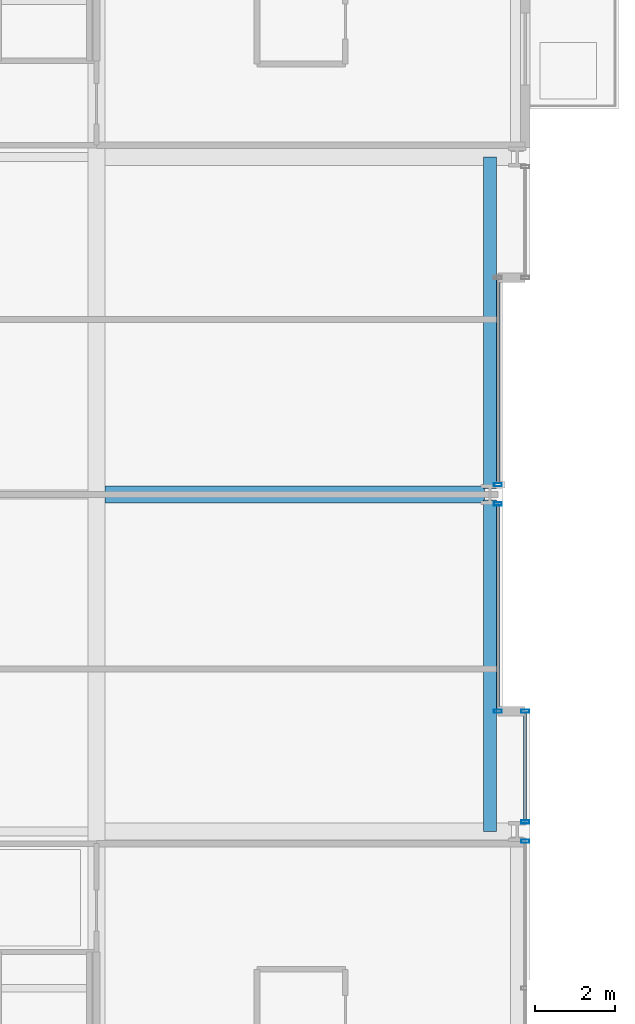
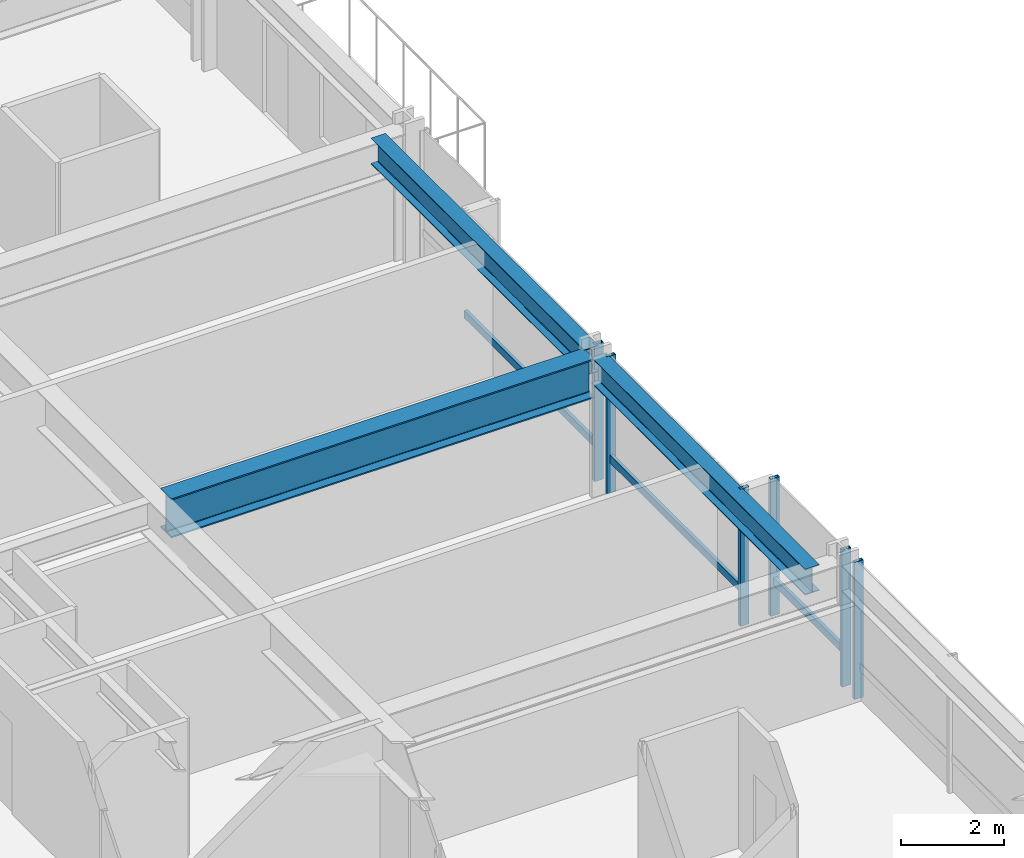
# One storey, part 16 of 38: 9 members, 3 beams, 4 elements without a shape of their own.
"""IFC4 building model written with IfcOpenShell, lengths in metres."""

from ifc_helpers import new_model, si_unit, direction, frame, origin, origin_2d, place, context, subcontext, project, spatial, hollow_rectangle, i_section, extrude, material, layer, layer_set, material_profile, profile_set, type_object, element, aggregate, save


model = new_model("IFC4")

# Units and contexts
model_context = context("Model", 3, precision=1e-05, world=origin(), true_north=direction((0.0, 1.0)))
body_context = subcontext(model_context, "Body", "Model", "MODEL_VIEW")
ifc_project = project(units=[si_unit("LENGTHUNIT", "METRE"), si_unit("AREAUNIT", "SQUARE_METRE"), si_unit("VOLUMEUNIT", "CUBIC_METRE"), si_unit("PLANEANGLEUNIT", "RADIAN"), si_unit("MASSUNIT", "GRAM", prefix="KILO")], contexts=[model_context])

# Site, building, storey
site_placement = place(None, origin())
site = spatial("IfcSite", under=ifc_project, at=site_placement, CompositionType="ELEMENT")
building_placement = place(site_placement, origin())
building = spatial("IfcBuilding", under=site, at=building_placement, Name="Drelvath Grand Hotel", CompositionType="ELEMENT")
storey_placement = place(building_placement, frame((0.0, 0.0, 50.699951171875)))
storey = spatial("IfcBuildingStorey", under=building, at=storey_placement, Name="L11", CompositionType="ELEMENT", Elevation=50.699951171875)

# Curtain wall, member
ifc_material_1 = material(Name="Warm Bronze Anodised Aluminium Frame", Category="aluminium")
ifc_layer = layer(ifc_material_1, 0.199951171875)
ifc_layer_set = layer_set([ifc_layer], Name="Warm Bronze Anodised Aluminium Frame")
curtain_wall_type = type_object("IfcCurtainWallType", Name="Stick Curtain Wall CW-02 Warm Bronze Low-Rise", PredefinedType="NOTDEFINED", material=ifc_layer_set)
curtain_wall_1_placement = place(storey_placement, origin())
curtain_wall_1 = element("IfcCurtainWall", 1, at=curtain_wall_1_placement, inside=storey, type_object=curtain_wall_type, Name="L11 CW-02 Curtain Wall CW02-L11-EM1", PredefinedType="NOTDEFINED")
ifc_material_profile_1 = material_profile(ifc_material_1, hollow_rectangle(XDim=0.074951171875, YDim=0.179931640625, WallThickness=0.0048828125, at=origin_2d()), Name="HSS180X75X5")
ifc_profile_set_1 = profile_set([ifc_material_profile_1], Name="Warm Bronze Anodised Aluminium Frame")
member_type_1 = type_object("IfcMemberType", Name="Curtain Wall Horizontal Transom CW-02 HSS180X75X5", PredefinedType="USERDEFINED", material=ifc_profile_set_1)
member_1_placement = place(storey_placement, frame((26.199951171875, 26.718994140625, 0.81005859375), z_axis=(0.0, -1.0, 0.0), x_axis=(1.0, 0.0, 0.0)))
member_1 = element("IfcMember", 2, at=member_1_placement, type_object=member_type_1, Name="CW02-L11-EM1 Sill Transom", ObjectType="TRANSOM", PredefinedType="USERDEFINED", context=body_context, shape_type="SweptSolid", body=[
    extrude(hollow_rectangle(XDim=0.074951171875, YDim=0.179931640625, WallThickness=0.0048828125, at=origin_2d()), origin(), (0.0, 0.0, 1.0), 5.0791015625),
])

curtain_wall_2_placement = place(storey_placement, origin())
curtain_wall_2 = element("IfcCurtainWall", 3, at=curtain_wall_2_placement, inside=storey, type_object=curtain_wall_type, Name="L11 CW-02 Curtain Wall CW02-L11-EM2", PredefinedType="NOTDEFINED")
member_2_placement = place(storey_placement, frame((26.199951171875, 32.360107421875, 0.81005859375), z_axis=(0.0, -1.0, 0.0), x_axis=(1.0, 0.0, 0.0)))
member_2 = element("IfcMember", 4, at=member_2_placement, type_object=member_type_1, Name="CW02-L11-EM2 Sill Transom", ObjectType="TRANSOM", PredefinedType="USERDEFINED", context=body_context, shape_type="SweptSolid", body=[
    extrude(hollow_rectangle(XDim=0.074951171875, YDim=0.179931640625, WallThickness=0.0048828125, at=origin_2d()), origin(), (0.0, 0.0, 1.0), 5.0791015625),
])

curtain_wall_3_placement = place(storey_placement, origin())
curtain_wall_3 = element("IfcCurtainWall", 5, at=curtain_wall_3_placement, inside=storey, type_object=curtain_wall_type, Name="L11 CW-02 Curtain Wall CW02-L11-ES3", PredefinedType="NOTDEFINED")
member_3_placement = place(storey_placement, frame((26.8798828125, 21.56005859375, 0.81005859375), z_axis=(0.0, -1.0, 0.0), x_axis=(1.0, 0.0, 0.0)))
member_3 = element("IfcMember", 6, at=member_3_placement, type_object=member_type_1, Name="CW02-L11-ES3 Sill Transom", ObjectType="TRANSOM", PredefinedType="USERDEFINED", context=body_context, shape_type="SweptSolid", body=[
    extrude(hollow_rectangle(XDim=0.074951171875, YDim=0.179931640625, WallThickness=0.0048828125, at=origin_2d()), origin(), (0.0, 0.0, 1.0), 2.67919921875),
])

# Member
ifc_material_profile_2 = material_profile(ifc_material_1, hollow_rectangle(XDim=0.080078125, YDim=0.199951171875, WallThickness=0.0048828125, at=origin_2d()), Name="HSS200X80X5")
ifc_profile_set_2 = profile_set([ifc_material_profile_2], Name="Warm Bronze Anodised Aluminium Frame")
member_type_2 = type_object("IfcMemberType", Name="Curtain Wall Vertical Mullion CW-02 HSS200X80X5", PredefinedType="MULLION", material=ifc_profile_set_2)
member_4_placement = place(storey_placement, frame((26.199951171875, 26.759033203125, 0.0), z_axis=(0.0, 0.0, 1.0), x_axis=(0.0, 1.0, 0.0)))
member_4 = element("IfcMember", 7, at=member_4_placement, type_object=member_type_2, Name="CW02-L11-EM1 Mullion 1", PredefinedType="MULLION", context=body_context, shape_type="SweptSolid", body=[
    extrude(hollow_rectangle(XDim=0.080078125, YDim=0.199951171875, WallThickness=0.0048828125, at=origin_2d()), origin(), (0.0, 0.0, 1.0), 3.239990234375),
])

member_5_placement = place(storey_placement, frame((26.199951171875, 21.60009765625, 0.0), z_axis=(0.0, 0.0, 1.0), x_axis=(0.0, 1.0, 0.0)))
member_5 = element("IfcMember", 8, at=member_5_placement, type_object=member_type_2, Name="CW02-L11-EM1 Mullion 2", PredefinedType="MULLION", context=body_context, shape_type="SweptSolid", body=[
    extrude(hollow_rectangle(XDim=0.080078125, YDim=0.199951171875, WallThickness=0.0048828125, at=origin_2d()), origin(), (0.0, 0.0, 1.0), 3.239990234375),
])

aggregate(curtain_wall_1, [member_4, member_5, member_1])

member_6_placement = place(storey_placement, frame((26.199951171875, 27.240966796875, 0.0), z_axis=(0.0, 0.0, 1.0), x_axis=(0.0, 1.0, 0.0)))
member_6 = element("IfcMember", 9, at=member_6_placement, type_object=member_type_2, Name="CW02-L11-EM2 Mullion 2", PredefinedType="MULLION", context=body_context, shape_type="SweptSolid", body=[
    extrude(hollow_rectangle(XDim=0.080078125, YDim=0.199951171875, WallThickness=0.0048828125, at=origin_2d()), origin(), (0.0, 0.0, 1.0), 3.239990234375),
])

aggregate(curtain_wall_2, [member_6, member_2])

# Curtain wall, member
curtain_wall_4_placement = place(storey_placement, origin())
curtain_wall_4 = element("IfcCurtainWall", 10, at=curtain_wall_4_placement, inside=storey, type_object=curtain_wall_type, Name="L11 CW-02 Curtain Wall CW02-L11-ES2", PredefinedType="NOTDEFINED")
member_7_placement = place(storey_placement, frame((26.8798828125, 18.359130859375, 0.0), z_axis=(0.0, 0.0, 1.0), x_axis=(0.0, 1.0, 0.0)))
member_7 = element("IfcMember", 11, at=member_7_placement, type_object=member_type_2, Name="CW02-L11-ES2 Mullion 1", PredefinedType="MULLION", context=body_context, shape_type="SweptSolid", body=[
    extrude(hollow_rectangle(XDim=0.080078125, YDim=0.199951171875, WallThickness=0.0048828125, at=origin_2d()), origin(), (0.0, 0.0, 1.0), 3.239990234375),
])
aggregate(curtain_wall_4, [member_7])

# Member
member_8_placement = place(storey_placement, frame((26.8798828125, 21.60009765625, 0.0), z_axis=(0.0, 0.0, 1.0), x_axis=(0.0, 1.0, 0.0)))
member_8 = element("IfcMember", 12, at=member_8_placement, type_object=member_type_2, Name="CW02-L11-ES3 Mullion 1", PredefinedType="MULLION", context=body_context, shape_type="SweptSolid", body=[
    extrude(hollow_rectangle(XDim=0.080078125, YDim=0.199951171875, WallThickness=0.0048828125, at=origin_2d()), origin(), (0.0, 0.0, 1.0), 3.239990234375),
])

member_9_placement = place(storey_placement, frame((26.8798828125, 18.8408203125, 0.0), z_axis=(0.0, 0.0, 1.0), x_axis=(0.0, 1.0, 0.0)))
member_9 = element("IfcMember", 13, at=member_9_placement, type_object=member_type_2, Name="CW02-L11-ES3 Mullion 2", PredefinedType="MULLION", context=body_context, shape_type="SweptSolid", body=[
    extrude(hollow_rectangle(XDim=0.080078125, YDim=0.199951171875, WallThickness=0.0048828125, at=origin_2d()), origin(), (0.0, 0.0, 1.0), 3.239990234375),
])

aggregate(curtain_wall_3, [member_8, member_9, member_3])

# Beams
ifc_material_2 = material(Name="Steel ASTM A992 Gr 50", Category="steel")
ifc_material_profile_3 = material_profile(ifc_material_2, i_section(OverallWidth=0.323974609375, OverallDepth=0.611083984375, WebThickness=0.0126953125, FlangeThickness=0.01904296875, FilletRadius=0.02197265625, at=origin_2d()), Name="W24X104")
ifc_profile_set_3 = profile_set([ifc_material_profile_3], Name="Steel ASTM A992 Gr 50")
beam_type_1 = type_object("IfcBeamType", Name="Perimeter Spandrel Beam W24X104", PredefinedType="SPANDREL", material=ifc_profile_set_3)
for number, where, z_axis, x_axis, name in (
    (14, (26.0, 18.60009765625, 2.9345703125), (0.0, 1.0, 0.0), (-1.0, 0.0, 0.0), "L11 Spandrel East Mid S"),
    (15, (26.0, 27.139892578125, 2.9345703125), (0.0, 1.0, 0.0), (-1.0, 0.0, 0.0), "L11 Spandrel East Mid N"),
):
    element("IfcBeam", number, at=place(storey_placement, frame(where, z_axis=z_axis, x_axis=x_axis)), inside=storey, type_object=beam_type_1, Name=name, PredefinedType="SPANDREL", context=body_context, shape_type="SweptSolid", body=[
        extrude(i_section(OverallWidth=0.323974609375, OverallDepth=0.611083984375, WebThickness=0.0126953125, FlangeThickness=0.01904296875, FilletRadius=0.02197265625, at=origin_2d()), origin(), (0.0, 0.0, 1.0), 8.260009765625),
    ])
ifc_material_profile_4 = material_profile(ifc_material_2, i_section(OverallWidth=0.418212890625, OverallDepth=0.926513671875, WebThickness=0.019287109375, FlangeThickness=0.031982421875, FilletRadius=0.028076171875, at=origin_2d()), Name="W36X231")
ifc_profile_set_4 = profile_set([ifc_material_profile_4], Name="Steel ASTM A992 Gr 50")
beam_type_2 = type_object("IfcBeamType", Name="Primary Floor Girder W36X231", PredefinedType="BEAM", material=ifc_profile_set_4)
beam_placement = place(storey_placement, frame((16.4091796875, 27.0, 2.77685546875), z_axis=(1.0, 0.0, 0.0), x_axis=(0.0, 1.0, 0.0)))
element("IfcBeam", 16, at=beam_placement, inside=storey, type_object=beam_type_2, Name="L11 East Wing Girder E", PredefinedType="BEAM", context=body_context, shape_type="SweptSolid", body=[
    extrude(i_section(OverallWidth=0.418212890625, OverallDepth=0.926513671875, WebThickness=0.019287109375, FlangeThickness=0.031982421875, FilletRadius=0.028076171875, at=origin_2d()), origin(), (0.0, 0.0, 1.0), 9.450927734375),
])

save(model, "model.ifc")
